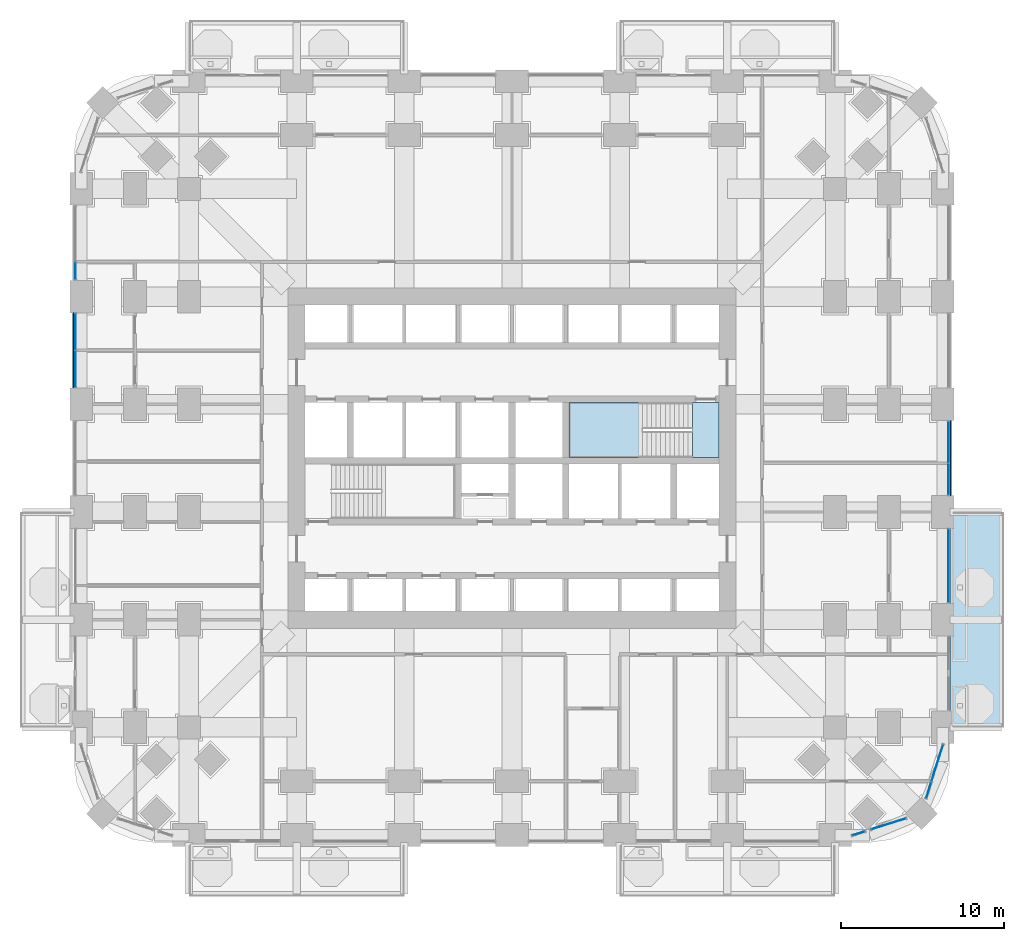
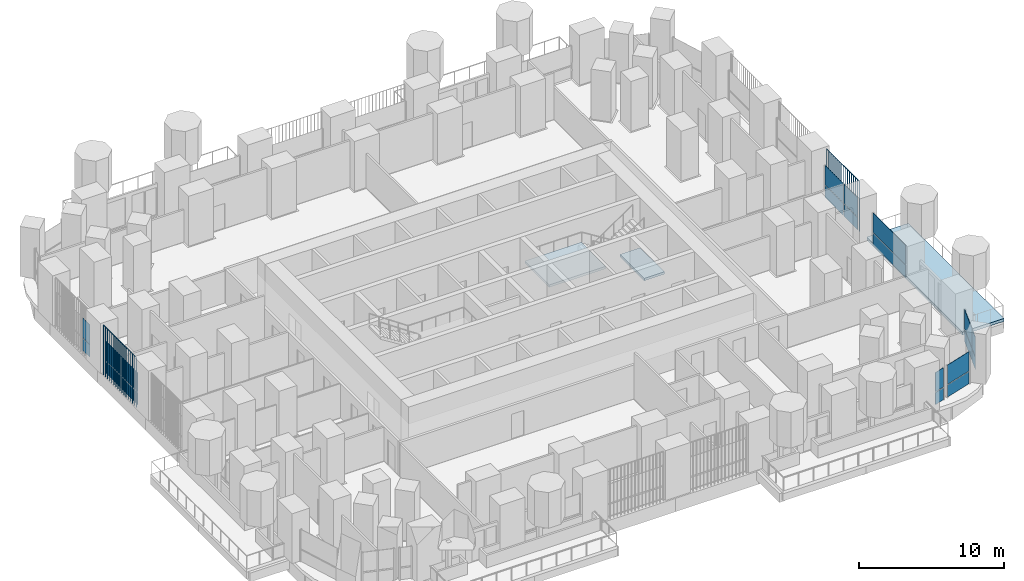
# One storey, part 13 of 25: 22 plates, 3 slabs, 8 elements without a shape of their own.
"""IFC4 building model written with IfcOpenShell, lengths in metres."""

from ifc_helpers import new_model, si_unit, direction, frame, origin, origin_2d, place, context, subcontext, project, spatial, polyline, rectangle, outline, extrude, material, layer, layer_set, type_object, element, aggregate, save


model = new_model("IFC4")

# Units and contexts
model_context = context("Model", 3, precision=1e-05, world=origin(), true_north=direction((0.0, 1.0)))
body_context = subcontext(model_context, "Body", "Model", "MODEL_VIEW")
ifc_project = project(units=[si_unit("LENGTHUNIT", "METRE"), si_unit("AREAUNIT", "SQUARE_METRE"), si_unit("VOLUMEUNIT", "CUBIC_METRE"), si_unit("PLANEANGLEUNIT", "RADIAN"), si_unit("MASSUNIT", "GRAM", prefix="KILO")], contexts=[model_context])

# Site, building, storey
site_placement = place(None, origin())
site = spatial("IfcSite", under=ifc_project, at=site_placement, CompositionType="ELEMENT")
building_placement = place(site_placement, origin())
building = spatial("IfcBuilding", under=site, at=building_placement, Name="Cobogo Forest Laboratory Tower", CompositionType="ELEMENT")
storey_placement = place(building_placement, frame((0.0, 0.0, 21.300048828125)))
storey = spatial("IfcBuildingStorey", under=building, at=storey_placement, Name="L04", CompositionType="ELEMENT", Elevation=21.300048828125)

# Slab
ifc_material_1 = material(Name="Concrete HA-40 (C40/50)", Category="concrete")
ifc_layer_1 = layer(ifc_material_1, 0.25)
ifc_layer_set_1 = layer_set([ifc_layer_1], Name="Balcony slab 250")
slab_type_1 = type_object("IfcSlabType", Name="Balcony slab 250", PredefinedType="FLOOR", material=ifc_layer_set_1)
slab_1_placement = place(storey_placement, frame((0.0, 0.0, -0.25)))
element("IfcSlab", 1, at=slab_1_placement, inside=storey, type_object=slab_type_1, Name="Balcony BAL-E1 L04", PredefinedType="FLOOR", context=body_context, shape_type="SweptSolid", body=[
    extrude(outline(polyline([(53.25, 6.60009765625), (56.550048828125, 6.60009765625), (56.550048828125, 19.800048828125), (53.25, 19.800048828125), (53.25, 6.60009765625)])), origin(), (0.0, 0.0, 1.0), 0.25),
])

# Curtain wall, plates
ifc_material_2 = material(Name="Aluminium curtain wall", Category="aluminium")
curtain_wall_type = type_object("IfcCurtainWallType", Name="CW-1 unitised curtain wall, clear glazing, laboratory floors zones A and B", PredefinedType="USERDEFINED", material=ifc_material_2)
curtain_wall_1_placement = place(storey_placement, origin())
curtain_wall_1 = element("IfcCurtainWall", 2, at=curtain_wall_1_placement, inside=storey, type_object=curtain_wall_type, Name="Curtain wall 07 L04", ObjectType="UNITISED CURTAIN WALL", PredefinedType="USERDEFINED")
ifc_material_3 = material(Name="Clear insulated glass", Category="glass")
ifc_layer_2 = layer(ifc_material_3, 0.028076171875)
ifc_layer_set_2 = layer_set([ifc_layer_2], Name="GP-1 clear insulated glass unit 28")
plate_type_1 = type_object("IfcPlateType", Name="GP-1 clear insulated glass unit 28", PredefinedType="CURTAIN_PANEL", material=ifc_layer_set_2)
plate_1_placement = place(storey_placement, frame((47.640869140625, 0.10498046875, 0.0), z_axis=(0.0, 0.0, 1.0), x_axis=(0.953581406818, 0.301135352577, 0.0)))
plate_1 = element("IfcPlate", 3, at=plate_1_placement, type_object=plate_type_1, Name="CW-1 panel 1.1", PredefinedType="CURTAIN_PANEL", context=body_context, shape_type="SweptSolid", body=[
    extrude(rectangle(XDim=0.804931640625, YDim=0.028076171875, at=origin_2d()), origin(), (0.0, 0.0, 1.0), 1.02001953125),
])
plate_2_placement = place(storey_placement, frame((47.640869140625, 0.10498046875, 1.079833984375), z_axis=(0.0, 0.0, 1.0), x_axis=(0.953581406818, 0.301135352577, 0.0)))
plate_2 = element("IfcPlate", 4, at=plate_2_placement, type_object=plate_type_1, Name="CW-1 panel 1.2", PredefinedType="CURTAIN_PANEL", context=body_context, shape_type="SweptSolid", body=[
    extrude(rectangle(XDim=0.804931640625, YDim=0.028076171875, at=origin_2d()), origin(), (0.0, 0.0, 1.0), 1.6201171875),
])
aggregate(curtain_wall_1, [plate_1, plate_2])

curtain_wall_2_placement = place(storey_placement, origin())
curtain_wall_2 = element("IfcCurtainWall", 5, at=curtain_wall_2_placement, inside=storey, type_object=curtain_wall_type, Name="Curtain wall 08 L04", ObjectType="UNITISED CURTAIN WALL", PredefinedType="USERDEFINED")
plate_3_placement = place(storey_placement, frame((49.482177734375, 0.6865234375, 0.0), z_axis=(0.0, 0.0, 1.0), x_axis=(0.953581409645, 0.301135343623, 0.0)))
plate_3 = element("IfcPlate", 6, at=plate_3_placement, type_object=plate_type_1, Name="CW-1 panel 1.1", PredefinedType="CURTAIN_PANEL", context=body_context, shape_type="SweptSolid", body=[
    extrude(rectangle(XDim=2.203369140625, YDim=0.028076171875, at=origin_2d()), origin(), (0.0, 0.0, 1.0), 1.02001953125),
])
plate_4_placement = place(storey_placement, frame((49.482177734375, 0.6865234375, 1.079833984375), z_axis=(0.0, 0.0, 1.0), x_axis=(0.953581409645, 0.301135343623, 0.0)))
plate_4 = element("IfcPlate", 7, at=plate_4_placement, type_object=plate_type_1, Name="CW-1 panel 1.2", PredefinedType="CURTAIN_PANEL", context=body_context, shape_type="SweptSolid", body=[
    extrude(rectangle(XDim=2.203369140625, YDim=0.028076171875, at=origin_2d()), origin(), (0.0, 0.0, 1.0), 1.6201171875),
])
aggregate(curtain_wall_2, [plate_3, plate_4])

curtain_wall_3_placement = place(storey_placement, origin())
curtain_wall_3 = element("IfcCurtainWall", 8, at=curtain_wall_3_placement, inside=storey, type_object=curtain_wall_type, Name="Curtain wall 09 L04", ObjectType="UNITISED CURTAIN WALL", PredefinedType="USERDEFINED")
plate_5_placement = place(storey_placement, frame((51.9365234375, 2.75732421875, 0.0), z_axis=(0.0, 0.0, 1.0), x_axis=(0.301135433696, 0.953581381201, 0.0)))
plate_5 = element("IfcPlate", 9, at=plate_5_placement, type_object=plate_type_1, Name="CW-1 panel 1.1", PredefinedType="CURTAIN_PANEL", context=body_context, shape_type="SweptSolid", body=[
    extrude(rectangle(XDim=1.027587890625, YDim=0.028076171875, at=origin_2d()), origin(), (0.0, 0.0, 1.0), 1.02001953125),
])
plate_6_placement = place(storey_placement, frame((51.9365234375, 2.75732421875, 1.079833984375), z_axis=(0.0, 0.0, 1.0), x_axis=(0.301135433696, 0.953581381201, 0.0)))
plate_6 = element("IfcPlate", 10, at=plate_6_placement, type_object=plate_type_1, Name="CW-1 panel 1.2", PredefinedType="CURTAIN_PANEL", context=body_context, shape_type="SweptSolid", body=[
    extrude(rectangle(XDim=1.027587890625, YDim=0.028076171875, at=origin_2d()), origin(), (0.0, 0.0, 1.0), 1.6201171875),
])
plate_7_placement = place(storey_placement, frame((52.462646484375, 4.423583984375, 0.0), z_axis=(0.0, 0.0, 1.0), x_axis=(0.301135433696, 0.953581381201, 0.0)))
plate_7 = element("IfcPlate", 11, at=plate_7_placement, type_object=plate_type_1, Name="CW-1 panel 2.1", PredefinedType="CURTAIN_PANEL", context=body_context, shape_type="SweptSolid", body=[
    extrude(rectangle(XDim=2.34716796875, YDim=0.028076171875, at=origin_2d()), origin(), (0.0, 0.0, 1.0), 1.02001953125),
])
plate_8_placement = place(storey_placement, frame((52.462646484375, 4.423583984375, 1.079833984375), z_axis=(0.0, 0.0, 1.0), x_axis=(0.301135433696, 0.953581381201, 0.0)))
plate_8 = element("IfcPlate", 12, at=plate_8_placement, type_object=plate_type_1, Name="CW-1 panel 2.2", PredefinedType="CURTAIN_PANEL", context=body_context, shape_type="SweptSolid", body=[
    extrude(rectangle(XDim=2.34716796875, YDim=0.028076171875, at=origin_2d()), origin(), (0.0, 0.0, 1.0), 1.6201171875),
])
aggregate(curtain_wall_3, [plate_5, plate_6, plate_7, plate_8])

curtain_wall_4_placement = place(storey_placement, origin())
curtain_wall_4 = element("IfcCurtainWall", 13, at=curtain_wall_4_placement, inside=storey, type_object=curtain_wall_type, Name="Curtain wall 11 L04", ObjectType="UNITISED CURTAIN WALL", PredefinedType="USERDEFINED")
plate_9_placement = place(storey_placement, frame((53.14990234375, 16.5, 0.0), z_axis=(0.0, 0.0, 1.0), x_axis=(0.0, 1.0, 0.0)))
plate_9 = element("IfcPlate", 14, at=plate_9_placement, type_object=plate_type_1, Name="CW-1 panel 1.1", PredefinedType="CURTAIN_PANEL", context=body_context, shape_type="SweptSolid", body=[
    extrude(rectangle(XDim=4.47998046875, YDim=0.028076171875, at=origin_2d()), origin(), (0.0, 0.0, 1.0), 1.02001953125),
])
plate_10_placement = place(storey_placement, frame((53.14990234375, 16.5, 1.079833984375), z_axis=(0.0, 0.0, 1.0), x_axis=(0.0, 1.0, 0.0)))
plate_10 = element("IfcPlate", 15, at=plate_10_placement, type_object=plate_type_1, Name="CW-1 panel 1.2", PredefinedType="CURTAIN_PANEL", context=body_context, shape_type="SweptSolid", body=[
    extrude(rectangle(XDim=4.47998046875, YDim=0.028076171875, at=origin_2d()), origin(), (0.0, 0.0, 1.0), 1.6201171875),
])
aggregate(curtain_wall_4, [plate_9, plate_10])

curtain_wall_5_placement = place(storey_placement, origin())
curtain_wall_5 = element("IfcCurtainWall", 16, at=curtain_wall_5_placement, inside=storey, type_object=curtain_wall_type, Name="Curtain wall 12 L04", ObjectType="UNITISED CURTAIN WALL", PredefinedType="USERDEFINED")
plate_11_placement = place(storey_placement, frame((53.14990234375, 21.81494140625, 0.0), z_axis=(0.0, 0.0, 1.0), x_axis=(0.0, 1.0, 0.0)))
plate_11 = element("IfcPlate", 17, at=plate_11_placement, type_object=plate_type_1, Name="CW-1 panel 1.1", PredefinedType="CURTAIN_PANEL", context=body_context, shape_type="SweptSolid", body=[
    extrude(rectangle(XDim=1.909912109375, YDim=0.028076171875, at=origin_2d()), origin(), (0.0, 0.0, 1.0), 1.02001953125),
])
plate_12_placement = place(storey_placement, frame((53.14990234375, 21.81494140625, 1.079833984375), z_axis=(0.0, 0.0, 1.0), x_axis=(0.0, 1.0, 0.0)))
plate_12 = element("IfcPlate", 18, at=plate_12_placement, type_object=plate_type_1, Name="CW-1 panel 1.2", PredefinedType="CURTAIN_PANEL", context=body_context, shape_type="SweptSolid", body=[
    extrude(rectangle(XDim=1.909912109375, YDim=0.028076171875, at=origin_2d()), origin(), (0.0, 0.0, 1.0), 1.6201171875),
])
plate_13_placement = place(storey_placement, frame((53.14990234375, 24.0849609375, 0.0), z_axis=(0.0, 0.0, 1.0), x_axis=(0.0, 1.0, 0.0)))
plate_13 = element("IfcPlate", 19, at=plate_13_placement, type_object=plate_type_1, Name="CW-1 panel 2.1", PredefinedType="CURTAIN_PANEL", context=body_context, shape_type="SweptSolid", body=[
    extrude(rectangle(XDim=2.510009765625, YDim=0.028076171875, at=origin_2d()), origin(), (0.0, 0.0, 1.0), 1.02001953125),
])
plate_14_placement = place(storey_placement, frame((53.14990234375, 24.0849609375, 1.079833984375), z_axis=(0.0, 0.0, 1.0), x_axis=(0.0, 1.0, 0.0)))
plate_14 = element("IfcPlate", 20, at=plate_14_placement, type_object=plate_type_1, Name="CW-1 panel 2.2", PredefinedType="CURTAIN_PANEL", context=body_context, shape_type="SweptSolid", body=[
    extrude(rectangle(XDim=2.510009765625, YDim=0.028076171875, at=origin_2d()), origin(), (0.0, 0.0, 1.0), 1.6201171875),
])
aggregate(curtain_wall_5, [plate_11, plate_12, plate_13, plate_14])

curtain_wall_6_placement = place(storey_placement, origin())
curtain_wall_6 = element("IfcCurtainWall", 21, at=curtain_wall_6_placement, inside=storey, type_object=curtain_wall_type, Name="Curtain wall 27 L04", ObjectType="UNITISED CURTAIN WALL", PredefinedType="USERDEFINED")
plate_15_placement = place(storey_placement, frame((-0.35009765625, 34.577392578125, 0.0), z_axis=(0.0, 0.0, 1.0), x_axis=(0.0, -1.0, 0.0)))
plate_15 = element("IfcPlate", 22, at=plate_15_placement, type_object=plate_type_1, Name="CW-1 panel 2.1", PredefinedType="CURTAIN_PANEL", context=body_context, shape_type="SweptSolid", body=[
    extrude(rectangle(XDim=1.034912109375, YDim=0.028076171875, at=origin_2d()), origin(), (0.0, 0.0, 1.0), 1.02001953125),
])
plate_16_placement = place(storey_placement, frame((-0.35009765625, 34.577392578125, 1.079833984375), z_axis=(0.0, 0.0, 1.0), x_axis=(0.0, -1.0, 0.0)))
plate_16 = element("IfcPlate", 23, at=plate_16_placement, type_object=plate_type_1, Name="CW-1 panel 2.2", PredefinedType="CURTAIN_PANEL", context=body_context, shape_type="SweptSolid", body=[
    extrude(rectangle(XDim=1.034912109375, YDim=0.028076171875, at=origin_2d()), origin(), (0.0, 0.0, 1.0), 1.6201171875),
])
aggregate(curtain_wall_6, [plate_15, plate_16])

curtain_wall_7_placement = place(storey_placement, origin())
curtain_wall_7 = element("IfcCurtainWall", 24, at=curtain_wall_7_placement, inside=storey, type_object=curtain_wall_type, Name="Curtain wall 28 L04", ObjectType="UNITISED CURTAIN WALL", PredefinedType="USERDEFINED")
plate_17_placement = place(storey_placement, frame((-0.35009765625, 30.8349609375, 0.0), z_axis=(0.0, 0.0, 1.0), x_axis=(0.0, -1.0, 0.0)))
plate_17 = element("IfcPlate", 25, at=plate_17_placement, type_object=plate_type_1, Name="CW-1 panel 1.1", PredefinedType="CURTAIN_PANEL", context=body_context, shape_type="SweptSolid", body=[
    extrude(rectangle(XDim=2.2099609375, YDim=0.028076171875, at=origin_2d()), origin(), (0.0, 0.0, 1.0), 1.02001953125),
])
plate_18_placement = place(storey_placement, frame((-0.35009765625, 30.8349609375, 1.079833984375), z_axis=(0.0, 0.0, 1.0), x_axis=(0.0, -1.0, 0.0)))
plate_18 = element("IfcPlate", 26, at=plate_18_placement, type_object=plate_type_1, Name="CW-1 panel 1.2", PredefinedType="CURTAIN_PANEL", context=body_context, shape_type="SweptSolid", body=[
    extrude(rectangle(XDim=2.2099609375, YDim=0.028076171875, at=origin_2d()), origin(), (0.0, 0.0, 1.0), 1.6201171875),
])
plate_19_placement = place(storey_placement, frame((-0.35009765625, 28.56494140625, 0.0), z_axis=(0.0, 0.0, 1.0), x_axis=(0.0, -1.0, 0.0)))
plate_19 = element("IfcPlate", 27, at=plate_19_placement, type_object=plate_type_1, Name="CW-1 panel 2.1", PredefinedType="CURTAIN_PANEL", context=body_context, shape_type="SweptSolid", body=[
    extrude(rectangle(XDim=2.2099609375, YDim=0.028076171875, at=origin_2d()), origin(), (0.0, 0.0, 1.0), 1.02001953125),
])
plate_20_placement = place(storey_placement, frame((-0.35009765625, 28.56494140625, 1.079833984375), z_axis=(0.0, 0.0, 1.0), x_axis=(0.0, -1.0, 0.0)))
plate_20 = element("IfcPlate", 28, at=plate_20_placement, type_object=plate_type_1, Name="CW-1 panel 2.2", PredefinedType="CURTAIN_PANEL", context=body_context, shape_type="SweptSolid", body=[
    extrude(rectangle(XDim=2.2099609375, YDim=0.028076171875, at=origin_2d()), origin(), (0.0, 0.0, 1.0), 1.6201171875),
])
aggregate(curtain_wall_7, [plate_17, plate_18, plate_19, plate_20])

# Stair, slabs
ifc_material_4 = material(Name="Precast concrete HA-40 (C40/50)", Category="concrete")
stair_type = type_object("IfcStairType", Name="ST24 exit stair 24 risers", PredefinedType="HALF_TURN_STAIR", material=ifc_material_4)
stair_placement = place(storey_placement, origin())
stair = element("IfcStair", 29, at=stair_placement, inside=storey, type_object=stair_type, Name="Stair 2 L04 to L05", PredefinedType="HALF_TURN_STAIR")
ifc_layer_3 = layer(ifc_material_1, 0.199951171875)
ifc_layer_set_3 = layer_set([ifc_layer_3], Name="SL stair landing 200")
slab_type_2 = type_object("IfcSlabType", Name="SL stair landing 200", PredefinedType="LANDING", material=ifc_layer_set_3)
slab_2_placement = place(storey_placement, frame((0.0, 0.0, -0.199951171875)))
slab_2 = element("IfcSlab", 30, at=slab_2_placement, type_object=slab_type_2, Name="ST2 landing 1", PredefinedType="LANDING", context=body_context, shape_type="SweptSolid", body=[
    extrude(outline(polyline([(37.472900390625, 23.14990234375), (39.074951171875, 23.14990234375), (39.074951171875, 26.5), (37.472900390625, 26.5), (37.472900390625, 23.14990234375)])), origin(), (0.0, 0.0, 1.0), 0.199951171875),
])
slab_3_placement = place(storey_placement, frame((0.0, 0.0, 1.89990234375)))
slab_3 = element("IfcSlab", 31, at=slab_3_placement, type_object=slab_type_2, Name="ST2 landing 2", PredefinedType="LANDING", context=body_context, shape_type="SweptSolid", body=[
    extrude(outline(polyline([(29.89990234375, 23.14990234375), (34.39697265625, 23.14990234375), (34.39697265625, 26.5), (29.89990234375, 26.5), (29.89990234375, 23.14990234375)])), origin(), (0.0, 0.0, 1.0), 0.199951171875),
])
aggregate(stair, [slab_2, slab_3])

# Plates
ifc_material_5 = material(Name="Terracotta", Category="masonry")
plate_type_2 = type_object("IfcPlateType", Name="TB1 terracotta baguette screen", PredefinedType="USERDEFINED", material=ifc_material_5)
plate_21_placement = place(storey_placement, frame((53.27783203125, 20.831298828125, -0.150146484375)))
element("IfcPlate", 32, at=plate_21_placement, inside=storey, type_object=plate_type_2, Name="Baguette screen E3 L04", ObjectType="BAGUETTE SCREEN", PredefinedType="USERDEFINED", context=body_context, shape_type="SweptSolid", body=[
    extrude(outline(polyline([(0.02880859375, 0.011962890625), (0.011962890625, 0.02880859375), (-0.011962890625, 0.02880859375), (-0.02880859375, 0.011962890625), (-0.02880859375, -0.011962890625), (-0.011962890625, -0.02880859375), (0.011962890625, -0.02880859375), (0.02880859375, -0.011962890625), (0.02880859375, 0.011962890625)])), frame((0.0, 0.0, 4.168701171875), z_axis=(0.0, 1.0, 0.0), x_axis=(-1.0, 0.0, 0.0)), (0.0, 0.0, 1.0), 4.537353515625),
    extrude(outline(polyline([(0.02880859375, 0.011962890625), (0.011962890625, 0.02880859375), (-0.011962890625, 0.02880859375), (-0.02880859375, 0.011962890625), (-0.02880859375, -0.011962890625), (-0.011962890625, -0.02880859375), (0.011962890625, -0.02880859375), (0.02880859375, -0.011962890625), (0.02880859375, 0.011962890625)])), origin(), (0.0, 0.0, 1.0), 4.137451171875),
    extrude(outline(polyline([(0.02880859375, 0.011962890625), (0.011962890625, 0.02880859375), (-0.011962890625, 0.02880859375), (-0.02880859375, 0.011962890625), (-0.02880859375, -0.011962890625), (-0.011962890625, -0.02880859375), (0.011962890625, -0.02880859375), (0.02880859375, -0.011962890625), (0.02880859375, 0.011962890625)])), frame((0.0, 0.28369140625, 0.0)), (0.0, 0.0, 1.0), 4.137451171875),
    extrude(outline(polyline([(0.02880859375, 0.011962890625), (0.011962890625, 0.02880859375), (-0.011962890625, 0.02880859375), (-0.02880859375, 0.011962890625), (-0.02880859375, -0.011962890625), (-0.011962890625, -0.02880859375), (0.011962890625, -0.02880859375), (0.02880859375, -0.011962890625), (0.02880859375, 0.011962890625)])), frame((0.0, 0.567138671875, 0.0)), (0.0, 0.0, 1.0), 4.137451171875),
    extrude(outline(polyline([(0.02880859375, 0.011962890625), (0.011962890625, 0.02880859375), (-0.011962890625, 0.02880859375), (-0.02880859375, 0.011962890625), (-0.02880859375, -0.011962890625), (-0.011962890625, -0.02880859375), (0.011962890625, -0.02880859375), (0.02880859375, -0.011962890625), (0.02880859375, 0.011962890625)])), frame((0.0, 0.850830078125, 0.0)), (0.0, 0.0, 1.0), 4.137451171875),
    extrude(outline(polyline([(0.02880859375, 0.011962890625), (0.011962890625, 0.02880859375), (-0.011962890625, 0.02880859375), (-0.02880859375, 0.011962890625), (-0.02880859375, -0.011962890625), (-0.011962890625, -0.02880859375), (0.011962890625, -0.02880859375), (0.02880859375, -0.011962890625), (0.02880859375, 0.011962890625)])), frame((0.0, 1.13427734375, 0.0)), (0.0, 0.0, 1.0), 4.137451171875),
    extrude(outline(polyline([(0.02880859375, 0.011962890625), (0.011962890625, 0.02880859375), (-0.011962890625, 0.02880859375), (-0.02880859375, 0.011962890625), (-0.02880859375, -0.011962890625), (-0.011962890625, -0.02880859375), (0.011962890625, -0.02880859375), (0.02880859375, -0.011962890625), (0.02880859375, 0.011962890625)])), frame((0.0, 1.41796875, 0.0)), (0.0, 0.0, 1.0), 4.137451171875),
    extrude(outline(polyline([(0.02880859375, 0.011962890625), (0.011962890625, 0.02880859375), (-0.011962890625, 0.02880859375), (-0.02880859375, 0.011962890625), (-0.02880859375, -0.011962890625), (-0.011962890625, -0.02880859375), (0.011962890625, -0.02880859375), (0.02880859375, -0.011962890625), (0.02880859375, 0.011962890625)])), frame((0.0, 1.701416015625, 0.0)), (0.0, 0.0, 1.0), 4.137451171875),
    extrude(outline(polyline([(0.02880859375, 0.011962890625), (0.011962890625, 0.02880859375), (-0.011962890625, 0.02880859375), (-0.02880859375, 0.011962890625), (-0.02880859375, -0.011962890625), (-0.011962890625, -0.02880859375), (0.011962890625, -0.02880859375), (0.02880859375, -0.011962890625), (0.02880859375, 0.011962890625)])), frame((0.0, 1.985107421875, 0.0)), (0.0, 0.0, 1.0), 4.137451171875),
    extrude(outline(polyline([(0.02880859375, 0.011962890625), (0.011962890625, 0.02880859375), (-0.011962890625, 0.02880859375), (-0.02880859375, 0.011962890625), (-0.02880859375, -0.011962890625), (-0.011962890625, -0.02880859375), (0.011962890625, -0.02880859375), (0.02880859375, -0.011962890625), (0.02880859375, 0.011962890625)])), frame((0.0, 2.2685546875, 0.0)), (0.0, 0.0, 1.0), 4.137451171875),
    extrude(outline(polyline([(0.02880859375, 0.011962890625), (0.011962890625, 0.02880859375), (-0.011962890625, 0.02880859375), (-0.02880859375, 0.011962890625), (-0.02880859375, -0.011962890625), (-0.011962890625, -0.02880859375), (0.011962890625, -0.02880859375), (0.02880859375, -0.011962890625), (0.02880859375, 0.011962890625)])), frame((0.0, 2.55224609375, 0.0)), (0.0, 0.0, 1.0), 4.137451171875),
    extrude(outline(polyline([(0.02880859375, 0.011962890625), (0.011962890625, 0.02880859375), (-0.011962890625, 0.02880859375), (-0.02880859375, 0.011962890625), (-0.02880859375, -0.011962890625), (-0.011962890625, -0.02880859375), (0.011962890625, -0.02880859375), (0.02880859375, -0.011962890625), (0.02880859375, 0.011962890625)])), frame((0.0, 2.8359375, 0.0)), (0.0, 0.0, 1.0), 4.137451171875),
    extrude(outline(polyline([(0.02880859375, 0.011962890625), (0.011962890625, 0.02880859375), (-0.011962890625, 0.02880859375), (-0.02880859375, 0.011962890625), (-0.02880859375, -0.011962890625), (-0.011962890625, -0.02880859375), (0.011962890625, -0.02880859375), (0.02880859375, -0.011962890625), (0.02880859375, 0.011962890625)])), frame((0.0, 3.119384765625, 0.0)), (0.0, 0.0, 1.0), 4.137451171875),
    extrude(outline(polyline([(0.02880859375, 0.011962890625), (0.011962890625, 0.02880859375), (-0.011962890625, 0.02880859375), (-0.02880859375, 0.011962890625), (-0.02880859375, -0.011962890625), (-0.011962890625, -0.02880859375), (0.011962890625, -0.02880859375), (0.02880859375, -0.011962890625), (0.02880859375, 0.011962890625)])), frame((0.0, 3.403076171875, 0.0)), (0.0, 0.0, 1.0), 4.137451171875),
    extrude(outline(polyline([(0.02880859375, 0.011962890625), (0.011962890625, 0.02880859375), (-0.011962890625, 0.02880859375), (-0.02880859375, 0.011962890625), (-0.02880859375, -0.011962890625), (-0.011962890625, -0.02880859375), (0.011962890625, -0.02880859375), (0.02880859375, -0.011962890625), (0.02880859375, 0.011962890625)])), frame((0.0, 3.6865234375, 0.0)), (0.0, 0.0, 1.0), 4.137451171875),
    extrude(outline(polyline([(0.02880859375, 0.011962890625), (0.011962890625, 0.02880859375), (-0.011962890625, 0.02880859375), (-0.02880859375, 0.011962890625), (-0.02880859375, -0.011962890625), (-0.011962890625, -0.02880859375), (0.011962890625, -0.02880859375), (0.02880859375, -0.011962890625), (0.02880859375, 0.011962890625)])), frame((0.0, 3.97021484375, 0.0)), (0.0, 0.0, 1.0), 4.137451171875),
    extrude(outline(polyline([(0.02880859375, 0.011962890625), (0.011962890625, 0.02880859375), (-0.011962890625, 0.02880859375), (-0.02880859375, 0.011962890625), (-0.02880859375, -0.011962890625), (-0.011962890625, -0.02880859375), (0.011962890625, -0.02880859375), (0.02880859375, -0.011962890625), (0.02880859375, 0.011962890625)])), frame((0.0, 4.253662109375, 0.0)), (0.0, 0.0, 1.0), 4.137451171875),
    extrude(outline(polyline([(0.02880859375, 0.011962890625), (0.011962890625, 0.02880859375), (-0.011962890625, 0.02880859375), (-0.02880859375, 0.011962890625), (-0.02880859375, -0.011962890625), (-0.011962890625, -0.02880859375), (0.011962890625, -0.02880859375), (0.02880859375, -0.011962890625), (0.02880859375, 0.011962890625)])), frame((0.0, 4.537353515625, 0.0)), (0.0, 0.0, 1.0), 4.137451171875),
])
plate_22_placement = place(storey_placement, frame((-0.477783203125, 27.43115234375, -0.150146484375)))
element("IfcPlate", 33, at=plate_22_placement, inside=storey, type_object=plate_type_2, Name="Baguette screen W4 L04", ObjectType="BAGUETTE SCREEN", PredefinedType="USERDEFINED", context=body_context, shape_type="SweptSolid", body=[
    extrude(outline(polyline([(0.02880859375, 0.011962890625), (0.011962890625, 0.02880859375), (-0.011962890625, 0.02880859375), (-0.02880859375, 0.011962890625), (-0.02880859375, -0.011962890625), (-0.011962890625, -0.02880859375), (0.011962890625, -0.02880859375), (0.02880859375, -0.011962890625), (0.02880859375, 0.011962890625)])), frame((0.0, 0.0, 4.168701171875), z_axis=(0.0, 1.0, 0.0), x_axis=(-1.0, 0.0, 0.0)), (0.0, 0.0, 1.0), 4.53759765625),
    extrude(outline(polyline([(0.02880859375, 0.011962890625), (0.011962890625, 0.02880859375), (-0.011962890625, 0.02880859375), (-0.02880859375, 0.011962890625), (-0.02880859375, -0.011962890625), (-0.011962890625, -0.02880859375), (0.011962890625, -0.02880859375), (0.02880859375, -0.011962890625), (0.02880859375, 0.011962890625)])), origin(), (0.0, 0.0, 1.0), 4.137451171875),
    extrude(outline(polyline([(0.02880859375, 0.011962890625), (0.011962890625, 0.02880859375), (-0.011962890625, 0.02880859375), (-0.02880859375, 0.011962890625), (-0.02880859375, -0.011962890625), (-0.011962890625, -0.02880859375), (0.011962890625, -0.02880859375), (0.02880859375, -0.011962890625), (0.02880859375, 0.011962890625)])), frame((0.0, 0.28369140625, 0.0)), (0.0, 0.0, 1.0), 4.137451171875),
    extrude(outline(polyline([(0.02880859375, 0.011962890625), (0.011962890625, 0.02880859375), (-0.011962890625, 0.02880859375), (-0.02880859375, 0.011962890625), (-0.02880859375, -0.011962890625), (-0.011962890625, -0.02880859375), (0.011962890625, -0.02880859375), (0.02880859375, -0.011962890625), (0.02880859375, 0.011962890625)])), frame((0.0, 0.567138671875, 0.0)), (0.0, 0.0, 1.0), 4.137451171875),
    extrude(outline(polyline([(0.02880859375, 0.011962890625), (0.011962890625, 0.02880859375), (-0.011962890625, 0.02880859375), (-0.02880859375, 0.011962890625), (-0.02880859375, -0.011962890625), (-0.011962890625, -0.02880859375), (0.011962890625, -0.02880859375), (0.02880859375, -0.011962890625), (0.02880859375, 0.011962890625)])), frame((0.0, 0.850830078125, 0.0)), (0.0, 0.0, 1.0), 4.137451171875),
    extrude(outline(polyline([(0.02880859375, 0.011962890625), (0.011962890625, 0.02880859375), (-0.011962890625, 0.02880859375), (-0.02880859375, 0.011962890625), (-0.02880859375, -0.011962890625), (-0.011962890625, -0.02880859375), (0.011962890625, -0.02880859375), (0.02880859375, -0.011962890625), (0.02880859375, 0.011962890625)])), frame((0.0, 1.13427734375, 0.0)), (0.0, 0.0, 1.0), 4.137451171875),
    extrude(outline(polyline([(0.02880859375, 0.011962890625), (0.011962890625, 0.02880859375), (-0.011962890625, 0.02880859375), (-0.02880859375, 0.011962890625), (-0.02880859375, -0.011962890625), (-0.011962890625, -0.02880859375), (0.011962890625, -0.02880859375), (0.02880859375, -0.011962890625), (0.02880859375, 0.011962890625)])), frame((0.0, 1.41796875, 0.0)), (0.0, 0.0, 1.0), 4.137451171875),
    extrude(outline(polyline([(0.02880859375, 0.011962890625), (0.011962890625, 0.02880859375), (-0.011962890625, 0.02880859375), (-0.02880859375, 0.011962890625), (-0.02880859375, -0.011962890625), (-0.011962890625, -0.02880859375), (0.011962890625, -0.02880859375), (0.02880859375, -0.011962890625), (0.02880859375, 0.011962890625)])), frame((0.0, 1.70166015625, 0.0)), (0.0, 0.0, 1.0), 4.137451171875),
    extrude(outline(polyline([(0.02880859375, 0.011962890625), (0.011962890625, 0.02880859375), (-0.011962890625, 0.02880859375), (-0.02880859375, 0.011962890625), (-0.02880859375, -0.011962890625), (-0.011962890625, -0.02880859375), (0.011962890625, -0.02880859375), (0.02880859375, -0.011962890625), (0.02880859375, 0.011962890625)])), frame((0.0, 1.985107421875, 0.0)), (0.0, 0.0, 1.0), 4.137451171875),
    extrude(outline(polyline([(0.02880859375, 0.011962890625), (0.011962890625, 0.02880859375), (-0.011962890625, 0.02880859375), (-0.02880859375, 0.011962890625), (-0.02880859375, -0.011962890625), (-0.011962890625, -0.02880859375), (0.011962890625, -0.02880859375), (0.02880859375, -0.011962890625), (0.02880859375, 0.011962890625)])), frame((0.0, 2.268798828125, 0.0)), (0.0, 0.0, 1.0), 4.137451171875),
    extrude(outline(polyline([(0.02880859375, 0.011962890625), (0.011962890625, 0.02880859375), (-0.011962890625, 0.02880859375), (-0.02880859375, 0.011962890625), (-0.02880859375, -0.011962890625), (-0.011962890625, -0.02880859375), (0.011962890625, -0.02880859375), (0.02880859375, -0.011962890625), (0.02880859375, 0.011962890625)])), frame((0.0, 2.552490234375, 0.0)), (0.0, 0.0, 1.0), 4.137451171875),
    extrude(outline(polyline([(0.02880859375, 0.011962890625), (0.011962890625, 0.02880859375), (-0.011962890625, 0.02880859375), (-0.02880859375, 0.011962890625), (-0.02880859375, -0.011962890625), (-0.011962890625, -0.02880859375), (0.011962890625, -0.02880859375), (0.02880859375, -0.011962890625), (0.02880859375, 0.011962890625)])), frame((0.0, 2.8359375, 0.0)), (0.0, 0.0, 1.0), 4.137451171875),
    extrude(outline(polyline([(0.02880859375, 0.011962890625), (0.011962890625, 0.02880859375), (-0.011962890625, 0.02880859375), (-0.02880859375, 0.011962890625), (-0.02880859375, -0.011962890625), (-0.011962890625, -0.02880859375), (0.011962890625, -0.02880859375), (0.02880859375, -0.011962890625), (0.02880859375, 0.011962890625)])), frame((0.0, 3.11962890625, 0.0)), (0.0, 0.0, 1.0), 4.137451171875),
    extrude(outline(polyline([(0.02880859375, 0.011962890625), (0.011962890625, 0.02880859375), (-0.011962890625, 0.02880859375), (-0.02880859375, 0.011962890625), (-0.02880859375, -0.011962890625), (-0.011962890625, -0.02880859375), (0.011962890625, -0.02880859375), (0.02880859375, -0.011962890625), (0.02880859375, 0.011962890625)])), frame((0.0, 3.4033203125, 0.0)), (0.0, 0.0, 1.0), 4.137451171875),
    extrude(outline(polyline([(0.02880859375, 0.011962890625), (0.011962890625, 0.02880859375), (-0.011962890625, 0.02880859375), (-0.02880859375, 0.011962890625), (-0.02880859375, -0.011962890625), (-0.011962890625, -0.02880859375), (0.011962890625, -0.02880859375), (0.02880859375, -0.011962890625), (0.02880859375, 0.011962890625)])), frame((0.0, 3.686767578125, 0.0)), (0.0, 0.0, 1.0), 4.137451171875),
    extrude(outline(polyline([(0.02880859375, 0.011962890625), (0.011962890625, 0.02880859375), (-0.011962890625, 0.02880859375), (-0.02880859375, 0.011962890625), (-0.02880859375, -0.011962890625), (-0.011962890625, -0.02880859375), (0.011962890625, -0.02880859375), (0.02880859375, -0.011962890625), (0.02880859375, 0.011962890625)])), frame((0.0, 3.970458984375, 0.0)), (0.0, 0.0, 1.0), 4.137451171875),
    extrude(outline(polyline([(0.02880859375, 0.011962890625), (0.011962890625, 0.02880859375), (-0.011962890625, 0.02880859375), (-0.02880859375, 0.011962890625), (-0.02880859375, -0.011962890625), (-0.011962890625, -0.02880859375), (0.011962890625, -0.02880859375), (0.02880859375, -0.011962890625), (0.02880859375, 0.011962890625)])), frame((0.0, 4.25390625, 0.0)), (0.0, 0.0, 1.0), 4.137451171875),
    extrude(outline(polyline([(0.02880859375, 0.011962890625), (0.011962890625, 0.02880859375), (-0.011962890625, 0.02880859375), (-0.02880859375, 0.011962890625), (-0.02880859375, -0.011962890625), (-0.011962890625, -0.02880859375), (0.011962890625, -0.02880859375), (0.02880859375, -0.011962890625), (0.02880859375, 0.011962890625)])), frame((0.0, 4.53759765625, 0.0)), (0.0, 0.0, 1.0), 4.137451171875),
])

save(model, "model.ifc")
